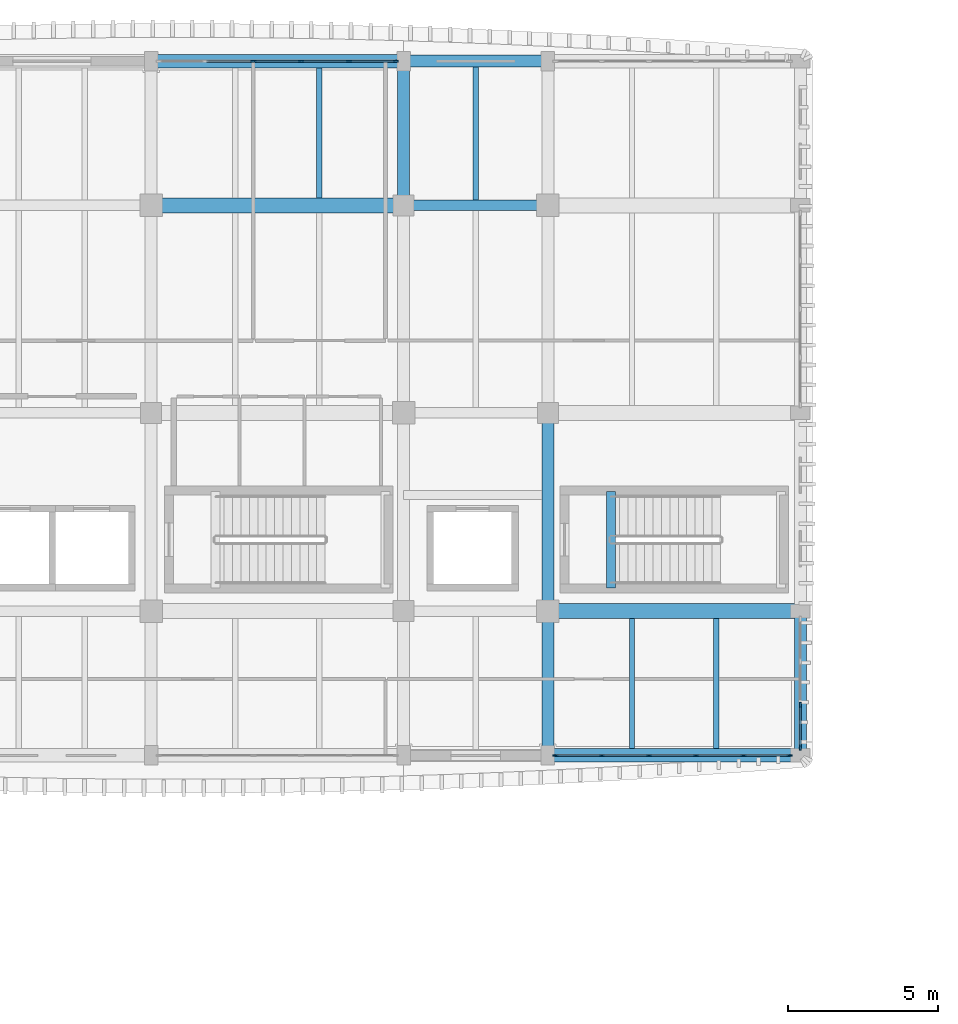
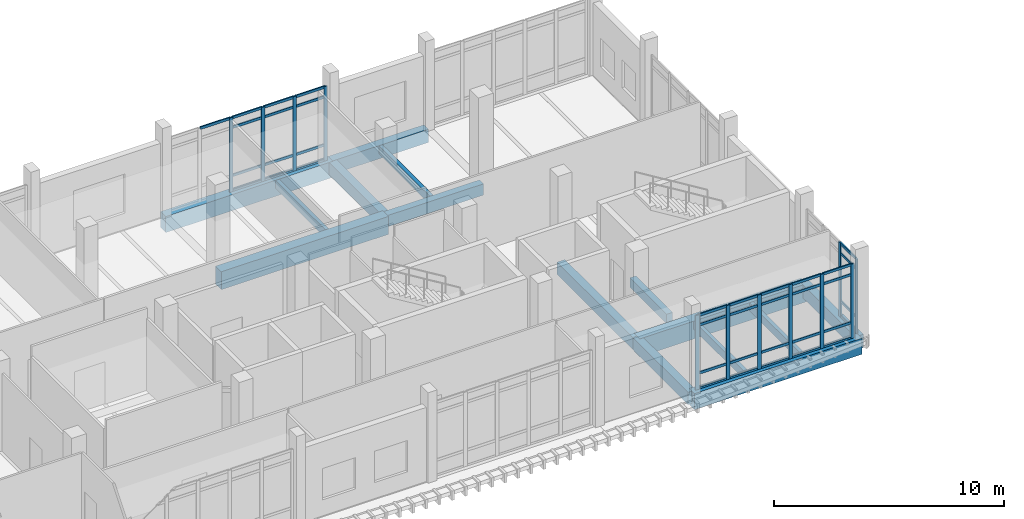
# One storey, part 5 of 39: 49 members, 15 beams, 3 elements without a shape of their own.
"""IFC4 building model written with IfcOpenShell, lengths in metres."""

from ifc_helpers import new_model, si_unit, direction, frame, origin, origin_2d, place, context, subcontext, project, spatial, rectangle, extrude, material, material_profile, profile_set, type_object, element, aggregate, save


model = new_model("IFC4")

# Units and contexts
model_context = context("Model", 3, precision=1e-05, world=origin(), true_north=direction((0.0, 1.0)))
body_context = subcontext(model_context, "Body", "Model", "MODEL_VIEW")
ifc_project = project(units=[si_unit("LENGTHUNIT", "METRE"), si_unit("AREAUNIT", "SQUARE_METRE"), si_unit("VOLUMEUNIT", "CUBIC_METRE"), si_unit("PLANEANGLEUNIT", "RADIAN"), si_unit("MASSUNIT", "GRAM", prefix="KILO")], contexts=[model_context])

# Site, building, storey
site_placement = place(None, origin())
site = spatial("IfcSite", under=ifc_project, at=site_placement, CompositionType="ELEMENT")
building_placement = place(site_placement, origin())
building = spatial("IfcBuilding", under=site, at=building_placement, Name="Dornvale Research Institute", CompositionType="ELEMENT")
storey_placement = place(building_placement, frame((0.0, 0.0, 24.60009765625)))
storey = spatial("IfcBuildingStorey", under=building, at=storey_placement, Name="L05", CompositionType="ELEMENT", Elevation=24.60009765625)

# Beams
ifc_material_1 = material(Name="Concrete f'c 45 MPa (C35/45)", Category="concrete")
ifc_material_profile_1 = material_profile(ifc_material_1, rectangle(XDim=0.300048828125, YDim=0.5, at=origin_2d()), Name="RC 300x500")
ifc_profile_set_1 = profile_set([ifc_material_profile_1], Name="Concrete f'c 45 MPa (C35/45)")
beam_type_1 = type_object("IfcBeamType", Name="Beam_RC300x500_Trim", PredefinedType="BEAM", material=ifc_profile_set_1)
beam_1_placement = place(storey_placement, frame((35.10009765625, 104.580078125, -0.25), z_axis=(0.0, 1.0, 0.0), x_axis=(-1.0, 0.0, 0.0)))
element("IfcBeam", 1, at=beam_1_placement, inside=storey, type_object=beam_type_1, Name="L05 ST-2 stair landing trimmer beam #29", PredefinedType="BEAM", context=body_context, shape_type="SweptSolid", body=[
    extrude(rectangle(XDim=0.300048828125, YDim=0.5, at=origin_2d()), origin(), (0.0, 0.0, 1.0), 3.199951171875),
])
ifc_material_2 = material(Name="Concrete f'c 45 MPa (C35/45)", Category="concrete")
ifc_material_profile_2 = material_profile(ifc_material_2, rectangle(XDim=0.35009765625, YDim=0.60009765625, at=origin_2d()), Name="RC 350x600")
ifc_profile_set_2 = profile_set([ifc_material_profile_2], Name="Concrete f'c 45 MPa (C35/45)")
beam_type_2 = type_object("IfcBeamType", Name="Beam_RC350x600_Floor", PredefinedType="BEAM", material=ifc_profile_set_2)
beam_2_placement = place(storey_placement, frame((28.199951171875, 117.300048828125, -0.300048828125), z_axis=(1.0, 0.0, 0.0), x_axis=(0.0, 1.0, 0.0)))
element("IfcBeam", 2, at=beam_2_placement, inside=storey, type_object=beam_type_2, Name="L05 primary girder #1345", PredefinedType="BEAM", context=body_context, shape_type="SweptSolid", body=[
    extrude(rectangle(XDim=0.35009765625, YDim=0.60009765625, at=origin_2d()), origin(), (0.0, 0.0, 1.0), 4.800048828125),
])
ifc_material_3 = material(Name="Concrete f'c 45 MPa (C35/45)", Category="concrete")
ifc_material_profile_3 = material_profile(ifc_material_3, rectangle(XDim=0.39990234375, YDim=0.64990234375, at=origin_2d()), Name="RC 400x650")
ifc_profile_set_3 = profile_set([ifc_material_profile_3], Name="Concrete f'c 45 MPa (C35/45)")
beam_type_3 = type_object("IfcBeamType", Name="Beam_RC400x650_Floor", PredefinedType="BEAM", material=ifc_profile_set_3)
for number, where, z_axis, x_axis, name in (
    (3, (28.199951171875, 117.300048828125, -0.3251953125), (0.0, 1.0, 0.0), (-1.0, 0.0, 0.0), "L05 transverse girder #1372"),
    (4, (33.0, 99.0, -0.3251953125), (0.0, 1.0, 0.0), (-1.0, 0.0, 0.0), "L05 transverse girder #1373"),
):
    element("IfcBeam", number, at=place(storey_placement, frame(where, z_axis=z_axis, x_axis=x_axis)), inside=storey, type_object=beam_type_3, Name=name, PredefinedType="BEAM", context=body_context, shape_type="SweptSolid", body=[
        extrude(rectangle(XDim=0.39990234375, YDim=0.64990234375, at=origin_2d()), origin(), (0.0, 0.0, 1.0), 4.800048828125),
    ])
beam_3_placement = place(storey_placement, frame((33.0, 103.800048828125, -0.3251953125), z_axis=(0.0, 1.0, 0.0), x_axis=(-1.0, 0.0, 0.0)))
element("IfcBeam", 5, at=beam_3_placement, inside=storey, type_object=beam_type_3, Name="L05 transverse girder #1374", PredefinedType="BEAM", context=body_context, shape_type="SweptSolid", body=[
    extrude(rectangle(XDim=0.39990234375, YDim=0.64990234375, at=origin_2d()), origin(), (0.0, 0.0, 1.0), 6.599853515625),
])
ifc_material_4 = material(Name="Concrete f'c 45 MPa (C35/45)", Category="concrete")
ifc_material_profile_4 = material_profile(ifc_material_4, rectangle(XDim=0.5, YDim=0.949951171875, at=origin_2d()), Name="RC 500x950")
ifc_profile_set_4 = profile_set([ifc_material_profile_4], Name="Concrete f'c 45 MPa (C35/45)")
beam_type_4 = type_object("IfcBeamType", Name="Beam_RC500x950_Girder", PredefinedType="BEAM", material=ifc_profile_set_4)
for number, where, z_axis, x_axis, name in (
    (6, (33.0, 103.800048828125, -0.47509765625), (1.0, 0.0, 0.0), (0.0, 1.0, 0.0), "L05 primary girder #1334"),
    (7, (19.800048828125, 117.300048828125, -0.47509765625), (1.0, 0.0, 0.0), (0.0, 1.0, 0.0), "L05 primary girder #1344"),
):
    element("IfcBeam", number, at=place(storey_placement, frame(where, z_axis=z_axis, x_axis=x_axis)), inside=storey, type_object=beam_type_4, Name=name, PredefinedType="BEAM", context=body_context, shape_type="SweptSolid", body=[
        extrude(rectangle(XDim=0.5, YDim=0.949951171875, at=origin_2d()), origin(), (0.0, 0.0, 1.0), 8.39990234375),
    ])
ifc_material_5 = material(Name="Concrete f'c 45 MPa (C35/45)", Category="concrete")
ifc_material_profile_5 = material_profile(ifc_material_5, rectangle(XDim=0.179931640625, YDim=0.43505859375, at=origin_2d()), Name="RC 180x435")
ifc_profile_set_5 = profile_set([ifc_material_profile_5], Name="Concrete f'c 45 MPa (C35/45)")
beam_type_5 = type_object("IfcBeamType", Name="Joist_RC180x435_Rib", PredefinedType="JOIST", material=ifc_profile_set_5)
beam_4_placement = place(storey_placement, frame((25.39990234375, 117.550048828125, -0.217529296875), z_axis=(0.0, 1.0, 0.0), x_axis=(-1.0, 0.0, 0.0)))
element("IfcBeam", 8, at=beam_4_placement, inside=storey, type_object=beam_type_5, Name="L05 laboratory waffle joist #648", PredefinedType="JOIST", context=body_context, shape_type="SweptSolid", body=[
    extrude(rectangle(XDim=0.179931640625, YDim=0.43505859375, at=origin_2d()), origin(), (0.0, 0.0, 1.0), 4.324951171875),
])
beam_5_placement = place(storey_placement, frame((30.60009765625, 117.47509765625, -0.217529296875), z_axis=(0.0, 1.0, 0.0), x_axis=(-1.0, 0.0, 0.0)))
element("IfcBeam", 9, at=beam_5_placement, inside=storey, type_object=beam_type_5, Name="L05 laboratory waffle joist #651", PredefinedType="JOIST", context=body_context, shape_type="SweptSolid", body=[
    extrude(rectangle(XDim=0.179931640625, YDim=0.43505859375, at=origin_2d()), origin(), (0.0, 0.0, 1.0), 4.4248046875),
])
for number, where, z_axis, x_axis, name in (
    (10, (35.800048828125, 99.22509765625, -0.217529296875), (0.0, 1.0, 0.0), (-1.0, 0.0, 0.0), "L05 laboratory waffle joist #652"),
    (11, (38.60009765625, 99.22509765625, -0.217529296875), (0.0, 1.0, 0.0), (-1.0, 0.0, 0.0), "L05 laboratory waffle joist #653"),
):
    element("IfcBeam", number, at=place(storey_placement, frame(where, z_axis=z_axis, x_axis=x_axis)), inside=storey, type_object=beam_type_5, Name=name, PredefinedType="JOIST", context=body_context, shape_type="SweptSolid", body=[
        extrude(rectangle(XDim=0.179931640625, YDim=0.43505859375, at=origin_2d()), origin(), (0.0, 0.0, 1.0), 4.324951171875),
    ])

# Curtain wall, members
ifc_material_6 = material(Name="Low-E Argon Double Insulating Glazing Unit", Category="glass")
curtain_wall_type_1 = type_object("IfcCurtainWallType", Name="UnitisedCurtainWall_V5_7950x3950", PredefinedType="USERDEFINED", material=ifc_material_6)
curtain_wall_1_placement = place(storey_placement, origin())
curtain_wall_1 = element("IfcCurtainWall", 12, at=curtain_wall_1_placement, inside=storey, type_object=curtain_wall_type_1, Name="L05 V5 unitised curtain wall CW-30 #166", ObjectType="UNITISED CURTAIN WALL", PredefinedType="USERDEFINED")
ifc_material_7 = material(Name="Anodized Aluminum AA 6063-T6 Thermally Broken Frame", Category="aluminium")
ifc_material_profile_6 = material_profile(ifc_material_7, rectangle(XDim=0.06494140625, YDim=0.179931640625, at=origin_2d()), Name="ALU MULLION 65x180")
ifc_profile_set_6 = profile_set([ifc_material_profile_6], Name="Anodized Aluminum AA 6063-T6 Thermally Broken Frame")
member_type_1 = type_object("IfcMemberType", Name="Mullion_CW_65x180", PredefinedType="MULLION", material=ifc_profile_set_6)
member_1_placement = place(storey_placement, frame((23.205078125, 122.10009765625, 0.0), z_axis=(0.0, 0.0, 1.0), x_axis=(0.0, 1.0, 0.0)))
member_1 = element("IfcMember", 13, at=member_1_placement, type_object=member_type_1, Name="CW-30 mullion 3", PredefinedType="MULLION", context=body_context, shape_type="SweptSolid", body=[
    extrude(rectangle(XDim=0.06494140625, YDim=0.179931640625, at=origin_2d()), origin(), (0.0, 0.0, 1.0), 3.949951171875),
])
member_2_placement = place(storey_placement, frame((24.794921875, 122.10009765625, 0.0), z_axis=(0.0, 0.0, 1.0), x_axis=(0.0, 1.0, 0.0)))
member_2 = element("IfcMember", 14, at=member_2_placement, type_object=member_type_1, Name="CW-30 mullion 4", PredefinedType="MULLION", context=body_context, shape_type="SweptSolid", body=[
    extrude(rectangle(XDim=0.06494140625, YDim=0.179931640625, at=origin_2d()), origin(), (0.0, 0.0, 1.0), 3.949951171875),
])
member_3_placement = place(storey_placement, frame((26.385009765625, 122.10009765625, 0.0), z_axis=(0.0, 0.0, 1.0), x_axis=(0.0, 1.0, 0.0)))
member_3 = element("IfcMember", 15, at=member_3_placement, type_object=member_type_1, Name="CW-30 mullion 5", PredefinedType="MULLION", context=body_context, shape_type="SweptSolid", body=[
    extrude(rectangle(XDim=0.06494140625, YDim=0.179931640625, at=origin_2d()), origin(), (0.0, 0.0, 1.0), 3.949951171875),
])
member_4_placement = place(storey_placement, frame((27.9423828125, 122.10009765625, 0.0), z_axis=(0.0, 0.0, 1.0), x_axis=(0.0, 1.0, 0.0)))
member_4 = element("IfcMember", 16, at=member_4_placement, type_object=member_type_1, Name="CW-30 mullion 6", PredefinedType="MULLION", context=body_context, shape_type="SweptSolid", body=[
    extrude(rectangle(XDim=0.06494140625, YDim=0.179931640625, at=origin_2d()), origin(), (0.0, 0.0, 1.0), 3.949951171875),
])

ifc_material_8 = material(Name="Low-E Argon Double Insulating Glazing Unit", Category="glass")
curtain_wall_type_2 = type_object("IfcCurtainWallType", Name="UnitisedCurtainWall_V5_4350x3950", PredefinedType="USERDEFINED", material=ifc_material_8)
curtain_wall_2_placement = place(storey_placement, origin())
curtain_wall_2 = element("IfcCurtainWall", 17, at=curtain_wall_2_placement, inside=storey, type_object=curtain_wall_type_2, Name="L05 V5 unitised curtain wall CW-33 #169", ObjectType="UNITISED CURTAIN WALL", PredefinedType="USERDEFINED")
member_5_placement = place(storey_placement, frame((41.39990234375, 100.675048828125, 0.0), z_axis=(0.0, 0.0, 1.0), x_axis=(1.0, 0.0, 0.0)))
member_5 = element("IfcMember", 18, at=member_5_placement, type_object=member_type_1, Name="CW-33 mullion 3", PredefinedType="MULLION", context=body_context, shape_type="SweptSolid", body=[
    extrude(rectangle(XDim=0.06494140625, YDim=0.179931640625, at=origin_2d()), origin(), (0.0, 0.0, 1.0), 3.949951171875),
])
member_6_placement = place(storey_placement, frame((41.39990234375, 99.257568359375, 0.0), z_axis=(0.0, 0.0, 1.0), x_axis=(1.0, 0.0, 0.0)))
member_6 = element("IfcMember", 19, at=member_6_placement, type_object=member_type_1, Name="CW-33 mullion 4", PredefinedType="MULLION", context=body_context, shape_type="SweptSolid", body=[
    extrude(rectangle(XDim=0.06494140625, YDim=0.179931640625, at=origin_2d()), origin(), (0.0, 0.0, 1.0), 3.949951171875),
])

ifc_material_9 = material(Name="Low-E Argon Double Insulating Glazing Unit", Category="glass")
curtain_wall_type_3 = type_object("IfcCurtainWallType", Name="UnitisedCurtainWall_V5_7850x3950", PredefinedType="USERDEFINED", material=ifc_material_9)
curtain_wall_3_placement = place(storey_placement, origin())
curtain_wall_3 = element("IfcCurtainWall", 20, at=curtain_wall_3_placement, inside=storey, type_object=curtain_wall_type_3, Name="L05 V5 unitised curtain wall CW-31 #170", ObjectType="UNITISED CURTAIN WALL", PredefinedType="USERDEFINED")
member_7_placement = place(storey_placement, frame((41.04248046875, 99.0, 0.0), z_axis=(0.0, 0.0, 1.0), x_axis=(0.0, -1.0, 0.0)))
member_7 = element("IfcMember", 21, at=member_7_placement, type_object=member_type_1, Name="CW-31 mullion 1", PredefinedType="MULLION", context=body_context, shape_type="SweptSolid", body=[
    extrude(rectangle(XDim=0.06494140625, YDim=0.179931640625, at=origin_2d()), origin(), (0.0, 0.0, 1.0), 3.949951171875),
])
member_8_placement = place(storey_placement, frame((39.5048828125, 99.0, 0.0), z_axis=(0.0, 0.0, 1.0), x_axis=(0.0, -1.0, 0.0)))
member_8 = element("IfcMember", 22, at=member_8_placement, type_object=member_type_1, Name="CW-31 mullion 2", PredefinedType="MULLION", context=body_context, shape_type="SweptSolid", body=[
    extrude(rectangle(XDim=0.06494140625, YDim=0.179931640625, at=origin_2d()), origin(), (0.0, 0.0, 1.0), 3.949951171875),
])
member_9_placement = place(storey_placement, frame((37.93505859375, 99.0, 0.0), z_axis=(0.0, 0.0, 1.0), x_axis=(0.0, -1.0, 0.0)))
member_9 = element("IfcMember", 23, at=member_9_placement, type_object=member_type_1, Name="CW-31 mullion 3", PredefinedType="MULLION", context=body_context, shape_type="SweptSolid", body=[
    extrude(rectangle(XDim=0.06494140625, YDim=0.179931640625, at=origin_2d()), origin(), (0.0, 0.0, 1.0), 3.949951171875),
])
member_10_placement = place(storey_placement, frame((36.364990234375, 99.0, 0.0), z_axis=(0.0, 0.0, 1.0), x_axis=(0.0, -1.0, 0.0)))
member_10 = element("IfcMember", 24, at=member_10_placement, type_object=member_type_1, Name="CW-31 mullion 4", PredefinedType="MULLION", context=body_context, shape_type="SweptSolid", body=[
    extrude(rectangle(XDim=0.06494140625, YDim=0.179931640625, at=origin_2d()), origin(), (0.0, 0.0, 1.0), 3.949951171875),
])
member_11_placement = place(storey_placement, frame((34.794921875, 99.0, 0.0), z_axis=(0.0, 0.0, 1.0), x_axis=(0.0, -1.0, 0.0)))
member_11 = element("IfcMember", 25, at=member_11_placement, type_object=member_type_1, Name="CW-31 mullion 5", PredefinedType="MULLION", context=body_context, shape_type="SweptSolid", body=[
    extrude(rectangle(XDim=0.06494140625, YDim=0.179931640625, at=origin_2d()), origin(), (0.0, 0.0, 1.0), 3.949951171875),
])
member_12_placement = place(storey_placement, frame((33.257568359375, 99.0, 0.0), z_axis=(0.0, 0.0, 1.0), x_axis=(0.0, -1.0, 0.0)))
member_12 = element("IfcMember", 26, at=member_12_placement, type_object=member_type_1, Name="CW-31 mullion 6", PredefinedType="MULLION", context=body_context, shape_type="SweptSolid", body=[
    extrude(rectangle(XDim=0.06494140625, YDim=0.179931640625, at=origin_2d()), origin(), (0.0, 0.0, 1.0), 3.949951171875),
])

# Beams
ifc_material_10 = material(Name="Concrete f'c 45 MPa (C35/45)", Category="concrete")
ifc_material_profile_7 = material_profile(ifc_material_10, rectangle(XDim=0.39990234375, YDim=0.699951171875, at=origin_2d()), Name="RC 400x700")
ifc_profile_set_7 = profile_set([ifc_material_profile_7], Name="Concrete f'c 45 MPa (C35/45)")
beam_type_6 = type_object("IfcBeamType", Name="Spandrel_RC400x700_Ext", PredefinedType="SPANDREL", material=ifc_profile_set_7)
for number, where, z_axis, x_axis, name in (
    (27, (28.199951171875, 122.10009765625, -0.35009765625), (1.0, 0.0, 0.0), (0.0, 1.0, 0.0), "L05 perimeter spandrel #1351"),
    (28, (41.39990234375, 99.0, -0.35009765625), (0.0, 1.0, 0.0), (-1.0, 0.0, 0.0), "L05 perimeter spandrel #1377"),
):
    element("IfcBeam", number, at=place(storey_placement, frame(where, z_axis=z_axis, x_axis=x_axis)), inside=storey, type_object=beam_type_6, Name=name, PredefinedType="SPANDREL", context=body_context, shape_type="SweptSolid", body=[
        extrude(rectangle(XDim=0.39990234375, YDim=0.699951171875, at=origin_2d()), origin(), (0.0, 0.0, 1.0), 4.800048828125),
    ])
ifc_material_11 = material(Name="Concrete f'c 45 MPa (C35/45)", Category="concrete")
ifc_material_profile_8 = material_profile(ifc_material_11, rectangle(XDim=0.449951171875, YDim=0.85009765625, at=origin_2d()), Name="RC 450x850")
ifc_profile_set_8 = profile_set([ifc_material_profile_8], Name="Concrete f'c 45 MPa (C35/45)")
beam_type_7 = type_object("IfcBeamType", Name="Spandrel_RC450x850_Ext", PredefinedType="SPANDREL", material=ifc_profile_set_8)
for number, where, z_axis, x_axis, name in (
    (29, (33.0, 99.0, -0.425048828125), (1.0, 0.0, 0.0), (0.0, 1.0, 0.0), "L05 perimeter spandrel #1328"),
    (30, (19.800048828125, 122.10009765625, -0.425048828125), (1.0, 0.0, 0.0), (0.0, 1.0, 0.0), "L05 perimeter spandrel #1350"),
):
    element("IfcBeam", number, at=place(storey_placement, frame(where, z_axis=z_axis, x_axis=x_axis)), inside=storey, type_object=beam_type_7, Name=name, PredefinedType="SPANDREL", context=body_context, shape_type="SweptSolid", body=[
        extrude(rectangle(XDim=0.449951171875, YDim=0.85009765625, at=origin_2d()), origin(), (0.0, 0.0, 1.0), 8.39990234375),
    ])

# Member
ifc_material_12 = material(Name="Anodized Aluminum AA 6063-T6 Thermally Broken Frame", Category="aluminium")
ifc_material_profile_9 = material_profile(ifc_material_12, rectangle(XDim=0.06494140625, YDim=0.135009765625, at=origin_2d()), Name="ALU TRANSOM 65x135")
ifc_profile_set_9 = profile_set([ifc_material_profile_9], Name="Anodized Aluminum AA 6063-T6 Thermally Broken Frame")
member_type_2 = type_object("IfcMemberType", Name="Transom_CW_65x135", PredefinedType="USERDEFINED", material=ifc_profile_set_9)
member_13_placement = place(storey_placement, frame((21.6474609375, 122.10009765625, 3.91748046875), z_axis=(1.0, 0.0, 0.0), x_axis=(0.0, 1.0, 0.0)))
member_13 = element("IfcMember", 31, at=member_13_placement, type_object=member_type_2, Name="CW-30 transom 2.4", ObjectType="TRANSOM", PredefinedType="USERDEFINED", context=body_context, shape_type="SweptSolid", body=[
    extrude(rectangle(XDim=0.06494140625, YDim=0.135009765625, at=origin_2d()), origin(), (0.0, 0.0, 1.0), 1.525146484375),
])

member_14_placement = place(storey_placement, frame((23.237548828125, 122.10009765625, 0.032470703125), z_axis=(1.0, 0.0, 0.0), x_axis=(0.0, 1.0, 0.0)))
member_14 = element("IfcMember", 32, at=member_14_placement, type_object=member_type_2, Name="CW-30 transom 3.1", ObjectType="TRANSOM", PredefinedType="USERDEFINED", context=body_context, shape_type="SweptSolid", body=[
    extrude(rectangle(XDim=0.06494140625, YDim=0.135009765625, at=origin_2d()), origin(), (0.0, 0.0, 1.0), 1.52490234375),
])

member_15_placement = place(storey_placement, frame((23.237548828125, 122.10009765625, 0.849853515625), z_axis=(1.0, 0.0, 0.0), x_axis=(0.0, 1.0, 0.0)))
member_15 = element("IfcMember", 33, at=member_15_placement, type_object=member_type_2, Name="CW-30 transom 3.2", ObjectType="TRANSOM", PredefinedType="USERDEFINED", context=body_context, shape_type="SweptSolid", body=[
    extrude(rectangle(XDim=0.06494140625, YDim=0.135009765625, at=origin_2d()), origin(), (0.0, 0.0, 1.0), 1.52490234375),
])

member_16_placement = place(storey_placement, frame((23.237548828125, 122.10009765625, 3.39990234375), z_axis=(1.0, 0.0, 0.0), x_axis=(0.0, 1.0, 0.0)))
member_16 = element("IfcMember", 34, at=member_16_placement, type_object=member_type_2, Name="CW-30 transom 3.3", ObjectType="TRANSOM", PredefinedType="USERDEFINED", context=body_context, shape_type="SweptSolid", body=[
    extrude(rectangle(XDim=0.06494140625, YDim=0.135009765625, at=origin_2d()), origin(), (0.0, 0.0, 1.0), 1.52490234375),
])

member_17_placement = place(storey_placement, frame((23.237548828125, 122.10009765625, 3.91748046875), z_axis=(1.0, 0.0, 0.0), x_axis=(0.0, 1.0, 0.0)))
member_17 = element("IfcMember", 35, at=member_17_placement, type_object=member_type_2, Name="CW-30 transom 3.4", ObjectType="TRANSOM", PredefinedType="USERDEFINED", context=body_context, shape_type="SweptSolid", body=[
    extrude(rectangle(XDim=0.06494140625, YDim=0.135009765625, at=origin_2d()), origin(), (0.0, 0.0, 1.0), 1.52490234375),
])

member_18_placement = place(storey_placement, frame((24.827392578125, 122.10009765625, 0.032470703125), z_axis=(1.0, 0.0, 0.0), x_axis=(0.0, 1.0, 0.0)))
member_18 = element("IfcMember", 36, at=member_18_placement, type_object=member_type_2, Name="CW-30 transom 4.1", ObjectType="TRANSOM", PredefinedType="USERDEFINED", context=body_context, shape_type="SweptSolid", body=[
    extrude(rectangle(XDim=0.06494140625, YDim=0.135009765625, at=origin_2d()), origin(), (0.0, 0.0, 1.0), 1.525146484375),
])

member_19_placement = place(storey_placement, frame((24.827392578125, 122.10009765625, 0.849853515625), z_axis=(1.0, 0.0, 0.0), x_axis=(0.0, 1.0, 0.0)))
member_19 = element("IfcMember", 37, at=member_19_placement, type_object=member_type_2, Name="CW-30 transom 4.2", ObjectType="TRANSOM", PredefinedType="USERDEFINED", context=body_context, shape_type="SweptSolid", body=[
    extrude(rectangle(XDim=0.06494140625, YDim=0.135009765625, at=origin_2d()), origin(), (0.0, 0.0, 1.0), 1.525146484375),
])

member_20_placement = place(storey_placement, frame((24.827392578125, 122.10009765625, 3.39990234375), z_axis=(1.0, 0.0, 0.0), x_axis=(0.0, 1.0, 0.0)))
member_20 = element("IfcMember", 38, at=member_20_placement, type_object=member_type_2, Name="CW-30 transom 4.3", ObjectType="TRANSOM", PredefinedType="USERDEFINED", context=body_context, shape_type="SweptSolid", body=[
    extrude(rectangle(XDim=0.06494140625, YDim=0.135009765625, at=origin_2d()), origin(), (0.0, 0.0, 1.0), 1.525146484375),
])

member_21_placement = place(storey_placement, frame((24.827392578125, 122.10009765625, 3.91748046875), z_axis=(1.0, 0.0, 0.0), x_axis=(0.0, 1.0, 0.0)))
member_21 = element("IfcMember", 39, at=member_21_placement, type_object=member_type_2, Name="CW-30 transom 4.4", ObjectType="TRANSOM", PredefinedType="USERDEFINED", context=body_context, shape_type="SweptSolid", body=[
    extrude(rectangle(XDim=0.06494140625, YDim=0.135009765625, at=origin_2d()), origin(), (0.0, 0.0, 1.0), 1.525146484375),
])

member_22_placement = place(storey_placement, frame((26.41748046875, 122.10009765625, 0.032470703125), z_axis=(1.0, 0.0, 0.0), x_axis=(0.0, 1.0, 0.0)))
member_22 = element("IfcMember", 40, at=member_22_placement, type_object=member_type_2, Name="CW-30 transom 5.1", ObjectType="TRANSOM", PredefinedType="USERDEFINED", context=body_context, shape_type="SweptSolid", body=[
    extrude(rectangle(XDim=0.06494140625, YDim=0.135009765625, at=origin_2d()), origin(), (0.0, 0.0, 1.0), 1.492431640625),
])

member_23_placement = place(storey_placement, frame((26.41748046875, 122.10009765625, 0.849853515625), z_axis=(1.0, 0.0, 0.0), x_axis=(0.0, 1.0, 0.0)))
member_23 = element("IfcMember", 41, at=member_23_placement, type_object=member_type_2, Name="CW-30 transom 5.2", ObjectType="TRANSOM", PredefinedType="USERDEFINED", context=body_context, shape_type="SweptSolid", body=[
    extrude(rectangle(XDim=0.06494140625, YDim=0.135009765625, at=origin_2d()), origin(), (0.0, 0.0, 1.0), 1.492431640625),
])

member_24_placement = place(storey_placement, frame((26.41748046875, 122.10009765625, 3.39990234375), z_axis=(1.0, 0.0, 0.0), x_axis=(0.0, 1.0, 0.0)))
member_24 = element("IfcMember", 42, at=member_24_placement, type_object=member_type_2, Name="CW-30 transom 5.3", ObjectType="TRANSOM", PredefinedType="USERDEFINED", context=body_context, shape_type="SweptSolid", body=[
    extrude(rectangle(XDim=0.06494140625, YDim=0.135009765625, at=origin_2d()), origin(), (0.0, 0.0, 1.0), 1.492431640625),
])

member_25_placement = place(storey_placement, frame((26.41748046875, 122.10009765625, 3.91748046875), z_axis=(1.0, 0.0, 0.0), x_axis=(0.0, 1.0, 0.0)))
member_25 = element("IfcMember", 43, at=member_25_placement, type_object=member_type_2, Name="CW-30 transom 5.4", ObjectType="TRANSOM", PredefinedType="USERDEFINED", context=body_context, shape_type="SweptSolid", body=[
    extrude(rectangle(XDim=0.06494140625, YDim=0.135009765625, at=origin_2d()), origin(), (0.0, 0.0, 1.0), 1.492431640625),
])

aggregate(curtain_wall_1, [member_1, member_2, member_3, member_4, member_13, member_14, member_15, member_16, member_17, member_18, member_19, member_20, member_21, member_22, member_23, member_24, member_25])

member_26_placement = place(storey_placement, frame((41.39990234375, 100.642578125, 0.032470703125), z_axis=(0.0, -1.0, 0.0), x_axis=(1.0, 0.0, 0.0)))
member_26 = element("IfcMember", 44, at=member_26_placement, type_object=member_type_2, Name="CW-33 transom 3.1", ObjectType="TRANSOM", PredefinedType="USERDEFINED", context=body_context, shape_type="SweptSolid", body=[
    extrude(rectangle(XDim=0.06494140625, YDim=0.135009765625, at=origin_2d()), origin(), (0.0, 0.0, 1.0), 1.3525390625),
])

member_27_placement = place(storey_placement, frame((41.39990234375, 100.642578125, 0.849853515625), z_axis=(0.0, -1.0, 0.0), x_axis=(1.0, 0.0, 0.0)))
member_27 = element("IfcMember", 45, at=member_27_placement, type_object=member_type_2, Name="CW-33 transom 3.2", ObjectType="TRANSOM", PredefinedType="USERDEFINED", context=body_context, shape_type="SweptSolid", body=[
    extrude(rectangle(XDim=0.06494140625, YDim=0.135009765625, at=origin_2d()), origin(), (0.0, 0.0, 1.0), 1.3525390625),
])

member_28_placement = place(storey_placement, frame((41.39990234375, 100.642578125, 3.39990234375), z_axis=(0.0, -1.0, 0.0), x_axis=(1.0, 0.0, 0.0)))
member_28 = element("IfcMember", 46, at=member_28_placement, type_object=member_type_2, Name="CW-33 transom 3.3", ObjectType="TRANSOM", PredefinedType="USERDEFINED", context=body_context, shape_type="SweptSolid", body=[
    extrude(rectangle(XDim=0.06494140625, YDim=0.135009765625, at=origin_2d()), origin(), (0.0, 0.0, 1.0), 1.3525390625),
])

member_29_placement = place(storey_placement, frame((41.39990234375, 100.642578125, 3.91748046875), z_axis=(0.0, -1.0, 0.0), x_axis=(1.0, 0.0, 0.0)))
member_29 = element("IfcMember", 47, at=member_29_placement, type_object=member_type_2, Name="CW-33 transom 3.4", ObjectType="TRANSOM", PredefinedType="USERDEFINED", context=body_context, shape_type="SweptSolid", body=[
    extrude(rectangle(XDim=0.06494140625, YDim=0.135009765625, at=origin_2d()), origin(), (0.0, 0.0, 1.0), 1.3525390625),
])

aggregate(curtain_wall_2, [member_5, member_6, member_26, member_27, member_28, member_29])

member_30_placement = place(storey_placement, frame((41.010009765625, 99.0, 0.032470703125), z_axis=(-1.0, 0.0, 0.0), x_axis=(0.0, -1.0, 0.0)))
member_30 = element("IfcMember", 48, at=member_30_placement, type_object=member_type_2, Name="CW-31 transom 1.1", ObjectType="TRANSOM", PredefinedType="USERDEFINED", context=body_context, shape_type="SweptSolid", body=[
    extrude(rectangle(XDim=0.06494140625, YDim=0.135009765625, at=origin_2d()), origin(), (0.0, 0.0, 1.0), 1.472412109375),
])

member_31_placement = place(storey_placement, frame((41.010009765625, 99.0, 0.849853515625), z_axis=(-1.0, 0.0, 0.0), x_axis=(0.0, -1.0, 0.0)))
member_31 = element("IfcMember", 49, at=member_31_placement, type_object=member_type_2, Name="CW-31 transom 1.2", ObjectType="TRANSOM", PredefinedType="USERDEFINED", context=body_context, shape_type="SweptSolid", body=[
    extrude(rectangle(XDim=0.06494140625, YDim=0.135009765625, at=origin_2d()), origin(), (0.0, 0.0, 1.0), 1.472412109375),
])

member_32_placement = place(storey_placement, frame((41.010009765625, 99.0, 3.39990234375), z_axis=(-1.0, 0.0, 0.0), x_axis=(0.0, -1.0, 0.0)))
member_32 = element("IfcMember", 50, at=member_32_placement, type_object=member_type_2, Name="CW-31 transom 1.3", ObjectType="TRANSOM", PredefinedType="USERDEFINED", context=body_context, shape_type="SweptSolid", body=[
    extrude(rectangle(XDim=0.06494140625, YDim=0.135009765625, at=origin_2d()), origin(), (0.0, 0.0, 1.0), 1.472412109375),
])

member_33_placement = place(storey_placement, frame((41.010009765625, 99.0, 3.91748046875), z_axis=(-1.0, 0.0, 0.0), x_axis=(0.0, -1.0, 0.0)))
member_33 = element("IfcMember", 51, at=member_33_placement, type_object=member_type_2, Name="CW-31 transom 1.4", ObjectType="TRANSOM", PredefinedType="USERDEFINED", context=body_context, shape_type="SweptSolid", body=[
    extrude(rectangle(XDim=0.06494140625, YDim=0.135009765625, at=origin_2d()), origin(), (0.0, 0.0, 1.0), 1.472412109375),
])

member_34_placement = place(storey_placement, frame((39.472412109375, 99.0, 0.032470703125), z_axis=(-1.0, 0.0, 0.0), x_axis=(0.0, -1.0, 0.0)))
member_34 = element("IfcMember", 52, at=member_34_placement, type_object=member_type_2, Name="CW-31 transom 2.1", ObjectType="TRANSOM", PredefinedType="USERDEFINED", context=body_context, shape_type="SweptSolid", body=[
    extrude(rectangle(XDim=0.06494140625, YDim=0.135009765625, at=origin_2d()), origin(), (0.0, 0.0, 1.0), 1.5048828125),
])

member_35_placement = place(storey_placement, frame((39.472412109375, 99.0, 0.849853515625), z_axis=(-1.0, 0.0, 0.0), x_axis=(0.0, -1.0, 0.0)))
member_35 = element("IfcMember", 53, at=member_35_placement, type_object=member_type_2, Name="CW-31 transom 2.2", ObjectType="TRANSOM", PredefinedType="USERDEFINED", context=body_context, shape_type="SweptSolid", body=[
    extrude(rectangle(XDim=0.06494140625, YDim=0.135009765625, at=origin_2d()), origin(), (0.0, 0.0, 1.0), 1.5048828125),
])

member_36_placement = place(storey_placement, frame((39.472412109375, 99.0, 3.39990234375), z_axis=(-1.0, 0.0, 0.0), x_axis=(0.0, -1.0, 0.0)))
member_36 = element("IfcMember", 54, at=member_36_placement, type_object=member_type_2, Name="CW-31 transom 2.3", ObjectType="TRANSOM", PredefinedType="USERDEFINED", context=body_context, shape_type="SweptSolid", body=[
    extrude(rectangle(XDim=0.06494140625, YDim=0.135009765625, at=origin_2d()), origin(), (0.0, 0.0, 1.0), 1.5048828125),
])

member_37_placement = place(storey_placement, frame((39.472412109375, 99.0, 3.91748046875), z_axis=(-1.0, 0.0, 0.0), x_axis=(0.0, -1.0, 0.0)))
member_37 = element("IfcMember", 55, at=member_37_placement, type_object=member_type_2, Name="CW-31 transom 2.4", ObjectType="TRANSOM", PredefinedType="USERDEFINED", context=body_context, shape_type="SweptSolid", body=[
    extrude(rectangle(XDim=0.06494140625, YDim=0.135009765625, at=origin_2d()), origin(), (0.0, 0.0, 1.0), 1.5048828125),
])

member_38_placement = place(storey_placement, frame((37.902587890625, 99.0, 0.032470703125), z_axis=(-1.0, 0.0, 0.0), x_axis=(0.0, -1.0, 0.0)))
member_38 = element("IfcMember", 56, at=member_38_placement, type_object=member_type_2, Name="CW-31 transom 3.1", ObjectType="TRANSOM", PredefinedType="USERDEFINED", context=body_context, shape_type="SweptSolid", body=[
    extrude(rectangle(XDim=0.06494140625, YDim=0.135009765625, at=origin_2d()), origin(), (0.0, 0.0, 1.0), 1.505126953125),
])

member_39_placement = place(storey_placement, frame((37.902587890625, 99.0, 0.849853515625), z_axis=(-1.0, 0.0, 0.0), x_axis=(0.0, -1.0, 0.0)))
member_39 = element("IfcMember", 57, at=member_39_placement, type_object=member_type_2, Name="CW-31 transom 3.2", ObjectType="TRANSOM", PredefinedType="USERDEFINED", context=body_context, shape_type="SweptSolid", body=[
    extrude(rectangle(XDim=0.06494140625, YDim=0.135009765625, at=origin_2d()), origin(), (0.0, 0.0, 1.0), 1.505126953125),
])

member_40_placement = place(storey_placement, frame((37.902587890625, 99.0, 3.39990234375), z_axis=(-1.0, 0.0, 0.0), x_axis=(0.0, -1.0, 0.0)))
member_40 = element("IfcMember", 58, at=member_40_placement, type_object=member_type_2, Name="CW-31 transom 3.3", ObjectType="TRANSOM", PredefinedType="USERDEFINED", context=body_context, shape_type="SweptSolid", body=[
    extrude(rectangle(XDim=0.06494140625, YDim=0.135009765625, at=origin_2d()), origin(), (0.0, 0.0, 1.0), 1.505126953125),
])

member_41_placement = place(storey_placement, frame((37.902587890625, 99.0, 3.91748046875), z_axis=(-1.0, 0.0, 0.0), x_axis=(0.0, -1.0, 0.0)))
member_41 = element("IfcMember", 59, at=member_41_placement, type_object=member_type_2, Name="CW-31 transom 3.4", ObjectType="TRANSOM", PredefinedType="USERDEFINED", context=body_context, shape_type="SweptSolid", body=[
    extrude(rectangle(XDim=0.06494140625, YDim=0.135009765625, at=origin_2d()), origin(), (0.0, 0.0, 1.0), 1.505126953125),
])

member_42_placement = place(storey_placement, frame((36.33251953125, 99.0, 0.032470703125), z_axis=(-1.0, 0.0, 0.0), x_axis=(0.0, -1.0, 0.0)))
member_42 = element("IfcMember", 60, at=member_42_placement, type_object=member_type_2, Name="CW-31 transom 4.1", ObjectType="TRANSOM", PredefinedType="USERDEFINED", context=body_context, shape_type="SweptSolid", body=[
    extrude(rectangle(XDim=0.06494140625, YDim=0.135009765625, at=origin_2d()), origin(), (0.0, 0.0, 1.0), 1.505126953125),
])

member_43_placement = place(storey_placement, frame((36.33251953125, 99.0, 0.849853515625), z_axis=(-1.0, 0.0, 0.0), x_axis=(0.0, -1.0, 0.0)))
member_43 = element("IfcMember", 61, at=member_43_placement, type_object=member_type_2, Name="CW-31 transom 4.2", ObjectType="TRANSOM", PredefinedType="USERDEFINED", context=body_context, shape_type="SweptSolid", body=[
    extrude(rectangle(XDim=0.06494140625, YDim=0.135009765625, at=origin_2d()), origin(), (0.0, 0.0, 1.0), 1.505126953125),
])

member_44_placement = place(storey_placement, frame((36.33251953125, 99.0, 3.39990234375), z_axis=(-1.0, 0.0, 0.0), x_axis=(0.0, -1.0, 0.0)))
member_44 = element("IfcMember", 62, at=member_44_placement, type_object=member_type_2, Name="CW-31 transom 4.3", ObjectType="TRANSOM", PredefinedType="USERDEFINED", context=body_context, shape_type="SweptSolid", body=[
    extrude(rectangle(XDim=0.06494140625, YDim=0.135009765625, at=origin_2d()), origin(), (0.0, 0.0, 1.0), 1.505126953125),
])

member_45_placement = place(storey_placement, frame((36.33251953125, 99.0, 3.91748046875), z_axis=(-1.0, 0.0, 0.0), x_axis=(0.0, -1.0, 0.0)))
member_45 = element("IfcMember", 63, at=member_45_placement, type_object=member_type_2, Name="CW-31 transom 4.4", ObjectType="TRANSOM", PredefinedType="USERDEFINED", context=body_context, shape_type="SweptSolid", body=[
    extrude(rectangle(XDim=0.06494140625, YDim=0.135009765625, at=origin_2d()), origin(), (0.0, 0.0, 1.0), 1.505126953125),
])

member_46_placement = place(storey_placement, frame((34.762451171875, 99.0, 0.032470703125), z_axis=(-1.0, 0.0, 0.0), x_axis=(0.0, -1.0, 0.0)))
member_46 = element("IfcMember", 64, at=member_46_placement, type_object=member_type_2, Name="CW-31 transom 5.1", ObjectType="TRANSOM", PredefinedType="USERDEFINED", context=body_context, shape_type="SweptSolid", body=[
    extrude(rectangle(XDim=0.06494140625, YDim=0.135009765625, at=origin_2d()), origin(), (0.0, 0.0, 1.0), 1.472412109375),
])

member_47_placement = place(storey_placement, frame((34.762451171875, 99.0, 0.849853515625), z_axis=(-1.0, 0.0, 0.0), x_axis=(0.0, -1.0, 0.0)))
member_47 = element("IfcMember", 65, at=member_47_placement, type_object=member_type_2, Name="CW-31 transom 5.2", ObjectType="TRANSOM", PredefinedType="USERDEFINED", context=body_context, shape_type="SweptSolid", body=[
    extrude(rectangle(XDim=0.06494140625, YDim=0.135009765625, at=origin_2d()), origin(), (0.0, 0.0, 1.0), 1.472412109375),
])

member_48_placement = place(storey_placement, frame((34.762451171875, 99.0, 3.39990234375), z_axis=(-1.0, 0.0, 0.0), x_axis=(0.0, -1.0, 0.0)))
member_48 = element("IfcMember", 66, at=member_48_placement, type_object=member_type_2, Name="CW-31 transom 5.3", ObjectType="TRANSOM", PredefinedType="USERDEFINED", context=body_context, shape_type="SweptSolid", body=[
    extrude(rectangle(XDim=0.06494140625, YDim=0.135009765625, at=origin_2d()), origin(), (0.0, 0.0, 1.0), 1.472412109375),
])

member_49_placement = place(storey_placement, frame((34.762451171875, 99.0, 3.91748046875), z_axis=(-1.0, 0.0, 0.0), x_axis=(0.0, -1.0, 0.0)))
member_49 = element("IfcMember", 67, at=member_49_placement, type_object=member_type_2, Name="CW-31 transom 5.4", ObjectType="TRANSOM", PredefinedType="USERDEFINED", context=body_context, shape_type="SweptSolid", body=[
    extrude(rectangle(XDim=0.06494140625, YDim=0.135009765625, at=origin_2d()), origin(), (0.0, 0.0, 1.0), 1.472412109375),
])

aggregate(curtain_wall_3, [member_7, member_8, member_9, member_10, member_11, member_12, member_30, member_31, member_32, member_33, member_34, member_35, member_36, member_37, member_38, member_39, member_40, member_41, member_42, member_43, member_44, member_45, member_46, member_47, member_48, member_49])

save(model, "model.ifc")
